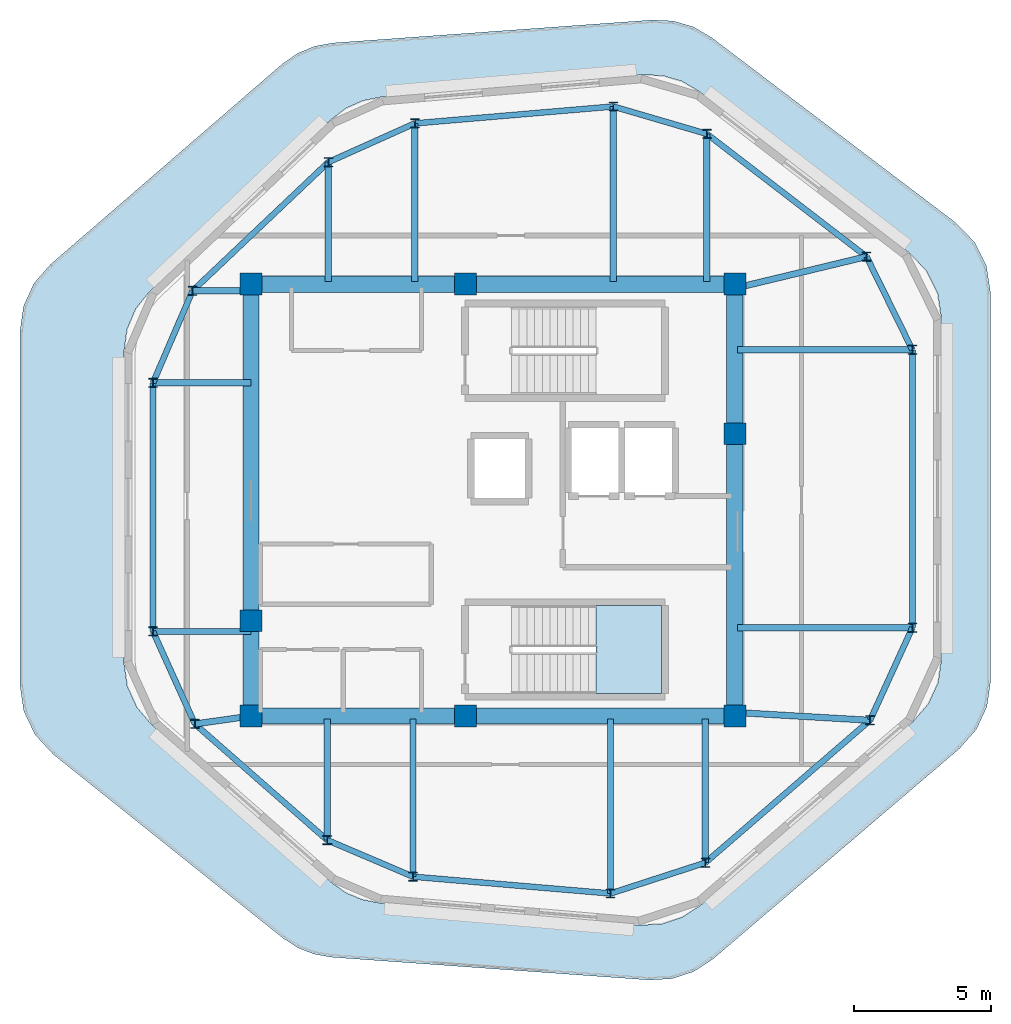
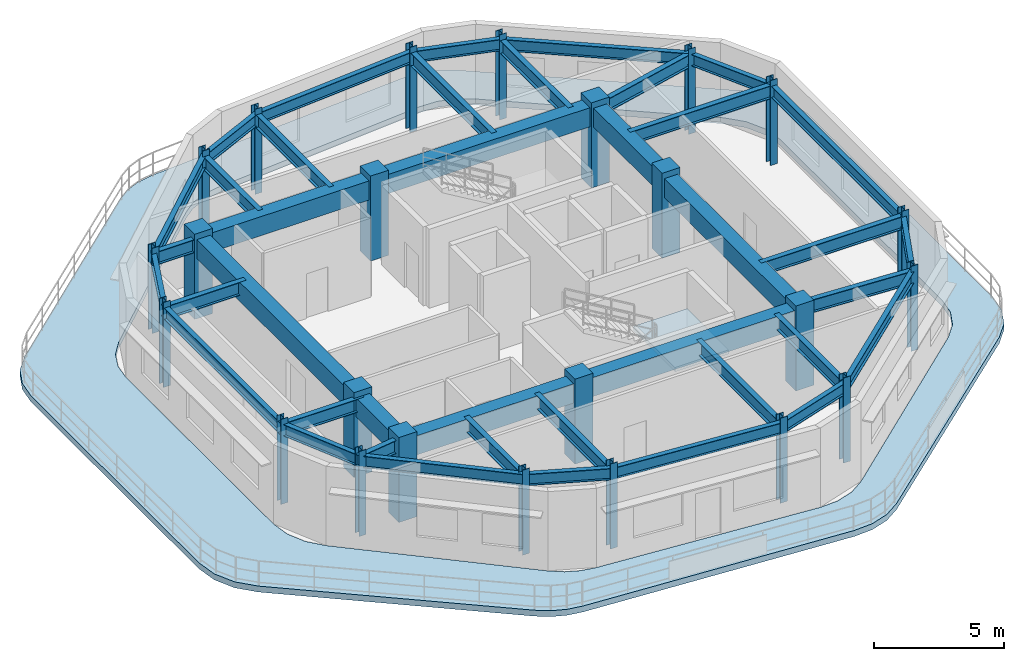
# One storey, part 1 of 7: 40 beams, 24 columns, 2 slabs, 1 element without a shape of its own.
"""IFC4 building model written with IfcOpenShell, lengths in metres."""

from ifc_helpers import new_model, si_unit, direction, frame, origin, origin_2d, place, context, subcontext, project, spatial, polyline, rectangle, i_section, outline, extrude, material, layer, layer_set, material_profile, profile_set, type_object, element, aggregate, save


model = new_model("IFC4")

# Units and contexts
model_context = context("Model", 3, precision=1e-05, world=origin(), true_north=direction((0.0, 1.0)))
body_context = subcontext(model_context, "Body", "Model", "MODEL_VIEW")
ifc_project = project(units=[si_unit("LENGTHUNIT", "METRE"), si_unit("AREAUNIT", "SQUARE_METRE"), si_unit("VOLUMEUNIT", "CUBIC_METRE"), si_unit("PLANEANGLEUNIT", "RADIAN"), si_unit("MASSUNIT", "GRAM", prefix="KILO")], contexts=[model_context])

# Site, building, storey
site_placement = place(None, origin())
site = spatial("IfcSite", under=ifc_project, at=site_placement, CompositionType="ELEMENT")
building_placement = place(site_placement, origin())
building = spatial("IfcBuilding", under=site, at=building_placement, Name="Zulverin Broadcast Headquarters", CompositionType="ELEMENT")
storey_placement = place(building_placement, frame((0.0, 0.0, 329.39990234375)))
storey = spatial("IfcBuildingStorey", under=building, at=storey_placement, Name="C5", CompositionType="ELEMENT", Elevation=329.39990234375)

# Columns
ifc_material_1 = material(Name="Structural steel S355JR", Category="steel")
ifc_material_profile_1 = material_profile(ifc_material_1, i_section(OverallWidth=0.311279296875, OverallDepth=0.3271484375, WebThickness=0.015869140625, FlangeThickness=0.02490234375, at=origin_2d()), Name="Structural steel S355JR", Category="steel")
ifc_profile_set_1 = profile_set([ifc_material_profile_1], Name="Structural steel S355JR")
column_type_1 = type_object("IfcColumnType", Name="COL-UC-158", PredefinedType="COLUMN", material=ifc_profile_set_1)
for number, where, z_axis, x_axis, name in (
    (1, (36.53759765625, 11.46484375, 0.0), (0.0, 0.0, 1.0), (1.0, 0.0, 0.0), "C5 Perimeter Column T01"),
    (2, (43.7392578125, 10.851318359375, 0.0), (0.0, 0.0, 1.0), (1.0, 0.0, 0.0), "C5 Perimeter Column T02"),
    (3, (47.196044921875, 11.973388671875, 0.0), (0.0, 0.0, 1.0), (1.0, 0.0, 0.0), "C5 Perimeter Column T03"),
    (4, (53.205322265625, 17.168701171875, 0.0), (0.0, 0.0, 1.0), (1.0, 0.0, 0.0), "C5 Perimeter Column T04"),
    (5, (54.75, 20.546142578125, 0.0), (0.0, 0.0, 1.0), (1.0, 0.0, 0.0), "C5 Perimeter Column T05"),
    (6, (54.75, 30.683837890625, 0.0), (0.0, 0.0, 1.0), (1.0, 0.0, 0.0), "C5 Perimeter Column T06"),
    (7, (53.076416015625, 34.080810546875, 0.0), (0.0, 0.0, 1.0), (1.0, 0.0, 0.0), "C5 Perimeter Column T07"),
    (8, (47.2509765625, 38.5576171875, 0.0), (0.0, 0.0, 1.0), (1.0, 0.0, 0.0), "C5 Perimeter Column T08"),
    (9, (43.839599609375, 39.557373046875, 0.0), (0.0, 0.0, 1.0), (1.0, 0.0, 0.0), "C5 Perimeter Column T09"),
    (10, (36.6015625, 38.940673828125, 0.0), (0.0, 0.0, 1.0), (1.0, 0.0, 0.0), "C5 Perimeter Column T10"),
    (11, (33.4453125, 37.5244140625, 0.0), (0.0, 0.0, 1.0), (1.0, 0.0, 0.0), "C5 Perimeter Column T11"),
    (12, (28.493408203125, 32.832275390625, 0.0), (0.0, 0.0, 1.0), (1.0, 0.0, 0.0), "C5 Perimeter Column T12"),
    (13, (27.050048828125, 29.475830078125, 0.0), (0.0, 0.0, 1.0), (1.0, 0.0, 0.0), "C5 Perimeter Column T13"),
    (14, (27.050048828125, 20.40869140625, 0.0), (0.0, 0.0, 1.0), (1.0, 0.0, 0.0), "C5 Perimeter Column T14"),
    (15, (28.578369140625, 17.03466796875, 0.0), (0.0, 0.0, 1.0), (1.0, 0.0, 0.0), "C5 Perimeter Column T15"),
    (16, (33.40673828125, 12.798095703125, 0.0), (0.0, 0.0, 1.0), (1.0, 0.0, 0.0), "C5 Perimeter Column T16"),
):
    element("IfcColumn", number, at=place(storey_placement, frame(where, z_axis=z_axis, x_axis=x_axis)), inside=storey, type_object=column_type_1, Name=name, PredefinedType="COLUMN", context=body_context, shape_type="SweptSolid", body=[
        extrude(i_section(OverallWidth=0.311279296875, OverallDepth=0.3271484375, WebThickness=0.015869140625, FlangeThickness=0.02490234375, at=origin_2d()), origin(), (0.0, 0.0, 1.0), 4.0),
    ])
ifc_material_2 = material(Name="Concrete C50/60", Category="concrete")
ifc_material_profile_2 = material_profile(ifc_material_2, rectangle(XDim=0.800048828125, YDim=0.800048828125, at=origin_2d()), Name="Concrete C50/60", Category="concrete")
ifc_profile_set_2 = profile_set([ifc_material_profile_2], Name="Concrete C50/60")
column_type_2 = type_object("IfcColumnType", Name="PIL-RC-800", PredefinedType="PILASTER", material=ifc_profile_set_2)
for number, where, z_axis, x_axis, name in (
    (17, (30.625, 17.324951171875, 0.0), (0.0, 0.0, 1.0), (1.0, 0.0, 0.0), "C5 Core Pilaster K01"),
    (18, (38.449951171875, 17.324951171875, 0.0), (0.0, 0.0, 1.0), (1.0, 0.0, 0.0), "C5 Core Pilaster K02"),
    (19, (48.27490234375, 17.324951171875, 0.0), (0.0, 0.0, 1.0), (1.0, 0.0, 0.0), "C5 Core Pilaster K03"),
    (20, (48.27490234375, 27.6201171875, 0.0), (0.0, 0.0, 1.0), (1.0, 0.0, 0.0), "C5 Core Pilaster K04"),
    (21, (48.27490234375, 33.074951171875, 0.0), (0.0, 0.0, 1.0), (1.0, 0.0, 0.0), "C5 Core Pilaster K05"),
    (22, (38.449951171875, 33.074951171875, 0.0), (0.0, 0.0, 1.0), (1.0, 0.0, 0.0), "C5 Core Pilaster K06"),
    (23, (30.625, 33.074951171875, 0.0), (0.0, 0.0, 1.0), (1.0, 0.0, 0.0), "C5 Core Pilaster K07"),
    (24, (30.625, 20.800048828125, 0.0), (0.0, 0.0, 1.0), (1.0, 0.0, 0.0), "C5 Core Pilaster K08"),
):
    element("IfcColumn", number, at=place(storey_placement, frame(where, z_axis=z_axis, x_axis=x_axis)), inside=storey, type_object=column_type_2, Name=name, PredefinedType="PILASTER", context=body_context, shape_type="SweptSolid", body=[
        extrude(rectangle(XDim=0.800048828125, YDim=0.800048828125, at=origin_2d()), origin(), (0.0, 0.0, 1.0), 4.0),
    ])

# Beams
ifc_material_3 = material(Name="Concrete C60/75", Category="concrete")
ifc_material_profile_3 = material_profile(ifc_material_3, rectangle(XDim=0.60009765625, YDim=0.89990234375, at=origin_2d()), Name="Concrete C60/75", Category="concrete")
ifc_profile_set_3 = profile_set([ifc_material_profile_3], Name="Concrete C60/75")
beam_type_1 = type_object("IfcBeamType", Name="BM-CB-600x900", PredefinedType="LINTEL", material=ifc_profile_set_3)
beam_1_placement = place(storey_placement, frame((30.625, 17.324951171875, 3.27001953125), z_axis=(1.0, 0.0, 0.0), x_axis=(0.0, 1.0, 0.0)))
element("IfcBeam", 25, at=beam_1_placement, inside=storey, type_object=beam_type_1, Name="C5 Core Coupling Girder K01-K02", PredefinedType="LINTEL", context=body_context, shape_type="SweptSolid", body=[
    extrude(rectangle(XDim=0.60009765625, YDim=0.89990234375, at=origin_2d()), origin(), (0.0, 0.0, 1.0), 7.824951171875),
])
beam_2_placement = place(storey_placement, frame((38.449951171875, 17.324951171875, 3.27001953125), z_axis=(1.0, 0.0, 0.0), x_axis=(0.0, 1.0, 0.0)))
element("IfcBeam", 26, at=beam_2_placement, inside=storey, type_object=beam_type_1, Name="C5 Core Coupling Girder K02-K03", PredefinedType="LINTEL", context=body_context, shape_type="SweptSolid", body=[
    extrude(rectangle(XDim=0.60009765625, YDim=0.89990234375, at=origin_2d()), origin(), (0.0, 0.0, 1.0), 9.824951171875),
])
beam_3_placement = place(storey_placement, frame((48.27490234375, 17.324951171875, 3.27001953125), z_axis=(0.0, 1.0, 0.0), x_axis=(-1.0, 0.0, 0.0)))
element("IfcBeam", 27, at=beam_3_placement, inside=storey, type_object=beam_type_1, Name="C5 Core Coupling Girder K03-K04", PredefinedType="LINTEL", context=body_context, shape_type="SweptSolid", body=[
    extrude(rectangle(XDim=0.60009765625, YDim=0.89990234375, at=origin_2d()), origin(), (0.0, 0.0, 1.0), 10.295166015625),
])
beam_4_placement = place(storey_placement, frame((48.27490234375, 27.6201171875, 3.27001953125), z_axis=(0.0, 1.0, 0.0), x_axis=(-1.0, 0.0, 0.0)))
element("IfcBeam", 28, at=beam_4_placement, inside=storey, type_object=beam_type_1, Name="C5 Core Coupling Girder K04-K05", PredefinedType="LINTEL", context=body_context, shape_type="SweptSolid", body=[
    extrude(rectangle(XDim=0.60009765625, YDim=0.89990234375, at=origin_2d()), origin(), (0.0, 0.0, 1.0), 5.454833984375),
])
beam_5_placement = place(storey_placement, frame((48.27490234375, 33.074951171875, 3.27001953125), z_axis=(-1.0, 0.0, 0.0), x_axis=(0.0, -1.0, 0.0)))
element("IfcBeam", 29, at=beam_5_placement, inside=storey, type_object=beam_type_1, Name="C5 Core Coupling Girder K05-K06", PredefinedType="LINTEL", context=body_context, shape_type="SweptSolid", body=[
    extrude(rectangle(XDim=0.60009765625, YDim=0.89990234375, at=origin_2d()), origin(), (0.0, 0.0, 1.0), 9.824951171875),
])
beam_6_placement = place(storey_placement, frame((38.449951171875, 33.074951171875, 3.27001953125), z_axis=(-1.0, 0.0, 0.0), x_axis=(0.0, -1.0, 0.0)))
element("IfcBeam", 30, at=beam_6_placement, inside=storey, type_object=beam_type_1, Name="C5 Core Coupling Girder K06-K07", PredefinedType="LINTEL", context=body_context, shape_type="SweptSolid", body=[
    extrude(rectangle(XDim=0.60009765625, YDim=0.89990234375, at=origin_2d()), origin(), (0.0, 0.0, 1.0), 7.824951171875),
])
beam_7_placement = place(storey_placement, frame((30.625, 33.074951171875, 3.27001953125), z_axis=(0.0, -1.0, 0.0), x_axis=(1.0, 0.0, 0.0)))
element("IfcBeam", 31, at=beam_7_placement, inside=storey, type_object=beam_type_1, Name="C5 Core Coupling Girder K07-K08", PredefinedType="LINTEL", context=body_context, shape_type="SweptSolid", body=[
    extrude(rectangle(XDim=0.60009765625, YDim=0.89990234375, at=origin_2d()), origin(), (0.0, 0.0, 1.0), 12.27490234375),
])
beam_8_placement = place(storey_placement, frame((30.625, 20.800048828125, 3.27001953125), z_axis=(0.0, -1.0, 0.0), x_axis=(1.0, 0.0, 0.0)))
element("IfcBeam", 32, at=beam_8_placement, inside=storey, type_object=beam_type_1, Name="C5 Core Coupling Girder K08-K01", PredefinedType="LINTEL", context=body_context, shape_type="SweptSolid", body=[
    extrude(rectangle(XDim=0.60009765625, YDim=0.89990234375, at=origin_2d()), origin(), (0.0, 0.0, 1.0), 3.47509765625),
])
ifc_material_profile_4 = material_profile(ifc_material_1, i_section(OverallWidth=0.2119140625, OverallDepth=0.54443359375, WebThickness=0.0126953125, FlangeThickness=0.021240234375, at=origin_2d()), Name="Structural steel S355JR", Category="steel")
ifc_profile_set_4 = profile_set([ifc_material_profile_4], Name="Structural steel S355JR")
beam_type_2 = type_object("IfcBeamType", Name="BM-UB-533", PredefinedType="SPANDREL", material=ifc_profile_set_4)
beam_9_placement = place(storey_placement, frame((36.53759765625, 11.46484375, 3.447998046875), z_axis=(0.99639077732, -0.084884738742, 0.0), x_axis=(0.084884738742, 0.99639077732, 0.0)))
element("IfcBeam", 33, at=beam_9_placement, inside=storey, type_object=beam_type_2, Name="C5 Perimeter Spandrel Beam SP-01", PredefinedType="SPANDREL", context=body_context, shape_type="SweptSolid", body=[
    extrude(i_section(OverallWidth=0.2119140625, OverallDepth=0.54443359375, WebThickness=0.0126953125, FlangeThickness=0.021240234375, at=origin_2d()), origin(), (0.0, 0.0, 1.0), 7.227783203125),
])
beam_10_placement = place(storey_placement, frame((43.7392578125, 10.851318359375, 3.447998046875), z_axis=(0.951146067617, 0.308741247741, 0.0), x_axis=(-0.308741247741, 0.951146067617, 0.0)))
element("IfcBeam", 34, at=beam_10_placement, inside=storey, type_object=beam_type_2, Name="C5 Perimeter Spandrel Beam SP-02", PredefinedType="SPANDREL", context=body_context, shape_type="SweptSolid", body=[
    extrude(i_section(OverallWidth=0.2119140625, OverallDepth=0.54443359375, WebThickness=0.0126953125, FlangeThickness=0.021240234375, at=origin_2d()), origin(), (0.0, 0.0, 1.0), 3.63427734375),
])
beam_11_placement = place(storey_placement, frame((47.196044921875, 11.973388671875, 3.447998046875), z_axis=(0.756481523052, 0.654015065026, 0.0), x_axis=(-0.654015065026, 0.756481523052, 0.0)))
element("IfcBeam", 35, at=beam_11_placement, inside=storey, type_object=beam_type_2, Name="C5 Perimeter Spandrel Beam SP-03", PredefinedType="SPANDREL", context=body_context, shape_type="SweptSolid", body=[
    extrude(i_section(OverallWidth=0.2119140625, OverallDepth=0.54443359375, WebThickness=0.0126953125, FlangeThickness=0.021240234375, at=origin_2d()), origin(), (0.0, 0.0, 1.0), 7.943603515625),
])
beam_12_placement = place(storey_placement, frame((53.205322265625, 17.168701171875, 3.447998046875), z_axis=(0.41591666127, 0.90940273305, 0.0), x_axis=(-0.90940273305, 0.41591666127, 0.0)))
element("IfcBeam", 36, at=beam_12_placement, inside=storey, type_object=beam_type_2, Name="C5 Perimeter Spandrel Beam SP-04", PredefinedType="SPANDREL", context=body_context, shape_type="SweptSolid", body=[
    extrude(i_section(OverallWidth=0.2119140625, OverallDepth=0.54443359375, WebThickness=0.0126953125, FlangeThickness=0.021240234375, at=origin_2d()), origin(), (0.0, 0.0, 1.0), 3.7138671875),
])
beam_13_placement = place(storey_placement, frame((54.75, 20.546142578125, 3.447998046875), z_axis=(0.0, 1.0, 0.0), x_axis=(-1.0, 0.0, 0.0)))
element("IfcBeam", 37, at=beam_13_placement, inside=storey, type_object=beam_type_2, Name="C5 Perimeter Spandrel Beam SP-05", PredefinedType="SPANDREL", context=body_context, shape_type="SweptSolid", body=[
    extrude(i_section(OverallWidth=0.2119140625, OverallDepth=0.54443359375, WebThickness=0.0126953125, FlangeThickness=0.021240234375, at=origin_2d()), origin(), (0.0, 0.0, 1.0), 10.1376953125),
])
beam_14_placement = place(storey_placement, frame((54.75, 30.683837890625, 3.447998046875), z_axis=(-0.441945069456, 0.897042114721, 0.0), x_axis=(-0.897042114721, -0.441945069456, 0.0)))
element("IfcBeam", 38, at=beam_14_placement, inside=storey, type_object=beam_type_2, Name="C5 Perimeter Spandrel Beam SP-06", PredefinedType="SPANDREL", context=body_context, shape_type="SweptSolid", body=[
    extrude(i_section(OverallWidth=0.2119140625, OverallDepth=0.54443359375, WebThickness=0.0126953125, FlangeThickness=0.021240234375, at=origin_2d()), origin(), (0.0, 0.0, 1.0), 3.786865234375),
])
beam_15_placement = place(storey_placement, frame((53.076416015625, 34.080810546875, 3.447998046875), z_axis=(-0.792906793207, 0.609342938981, 0.0), x_axis=(-0.609342938981, -0.792906793207, 0.0)))
element("IfcBeam", 39, at=beam_15_placement, inside=storey, type_object=beam_type_2, Name="C5 Perimeter Spandrel Beam SP-07", PredefinedType="SPANDREL", context=body_context, shape_type="SweptSolid", body=[
    extrude(i_section(OverallWidth=0.2119140625, OverallDepth=0.54443359375, WebThickness=0.0126953125, FlangeThickness=0.021240234375, at=origin_2d()), origin(), (0.0, 0.0, 1.0), 7.346923828125),
])
beam_16_placement = place(storey_placement, frame((47.2509765625, 38.5576171875, 3.447998046875), z_axis=(-0.959638451128, 0.281236631888, 0.0), x_axis=(-0.281236631888, -0.959638451128, 0.0)))
element("IfcBeam", 40, at=beam_16_placement, inside=storey, type_object=beam_type_2, Name="C5 Perimeter Spandrel Beam SP-08", PredefinedType="SPANDREL", context=body_context, shape_type="SweptSolid", body=[
    extrude(i_section(OverallWidth=0.2119140625, OverallDepth=0.54443359375, WebThickness=0.0126953125, FlangeThickness=0.021240234375, at=origin_2d()), origin(), (0.0, 0.0, 1.0), 3.554931640625),
])
beam_17_placement = place(storey_placement, frame((43.839599609375, 39.557373046875, 3.447998046875), z_axis=(-0.996389906425, -0.084894960827, 0.0), x_axis=(0.084894960827, -0.996389906425, 0.0)))
element("IfcBeam", 41, at=beam_17_placement, inside=storey, type_object=beam_type_2, Name="C5 Perimeter Spandrel Beam SP-09", PredefinedType="SPANDREL", context=body_context, shape_type="SweptSolid", body=[
    extrude(i_section(OverallWidth=0.2119140625, OverallDepth=0.54443359375, WebThickness=0.0126953125, FlangeThickness=0.021240234375, at=origin_2d()), origin(), (0.0, 0.0, 1.0), 7.26416015625),
])
beam_18_placement = place(storey_placement, frame((36.6015625, 38.940673828125, 3.447998046875), z_axis=(-0.912359384354, -0.409390221893, 0.0), x_axis=(0.409390221893, -0.912359384354, 0.0)))
element("IfcBeam", 42, at=beam_18_placement, inside=storey, type_object=beam_type_2, Name="C5 Perimeter Spandrel Beam SP-10", PredefinedType="SPANDREL", context=body_context, shape_type="SweptSolid", body=[
    extrude(i_section(OverallWidth=0.2119140625, OverallDepth=0.54443359375, WebThickness=0.0126953125, FlangeThickness=0.021240234375, at=origin_2d()), origin(), (0.0, 0.0, 1.0), 3.45947265625),
])
beam_19_placement = place(storey_placement, frame((33.4453125, 37.5244140625, 3.447998046875), z_axis=(-0.725889672936, -0.687811153388, 0.0), x_axis=(0.687811153388, -0.725889672936, 0.0)))
element("IfcBeam", 43, at=beam_19_placement, inside=storey, type_object=beam_type_2, Name="C5 Perimeter Spandrel Beam SP-11", PredefinedType="SPANDREL", context=body_context, shape_type="SweptSolid", body=[
    extrude(i_section(OverallWidth=0.2119140625, OverallDepth=0.54443359375, WebThickness=0.0126953125, FlangeThickness=0.021240234375, at=origin_2d()), origin(), (0.0, 0.0, 1.0), 6.82177734375),
])
beam_20_placement = place(storey_placement, frame((28.493408203125, 32.832275390625, 3.447998046875), z_axis=(-0.395048052445, -0.918660457546, 0.0), x_axis=(0.918660457546, -0.395048052445, 0.0)))
element("IfcBeam", 44, at=beam_20_placement, inside=storey, type_object=beam_type_2, Name="C5 Perimeter Spandrel Beam SP-12", PredefinedType="SPANDREL", context=body_context, shape_type="SweptSolid", body=[
    extrude(i_section(OverallWidth=0.2119140625, OverallDepth=0.54443359375, WebThickness=0.0126953125, FlangeThickness=0.021240234375, at=origin_2d()), origin(), (0.0, 0.0, 1.0), 3.653564453125),
])
beam_21_placement = place(storey_placement, frame((27.050048828125, 29.475830078125, 3.447998046875), z_axis=(0.0, -1.0, 0.0), x_axis=(1.0, 0.0, 0.0)))
element("IfcBeam", 45, at=beam_21_placement, inside=storey, type_object=beam_type_2, Name="C5 Perimeter Spandrel Beam SP-13", PredefinedType="SPANDREL", context=body_context, shape_type="SweptSolid", body=[
    extrude(i_section(OverallWidth=0.2119140625, OverallDepth=0.54443359375, WebThickness=0.0126953125, FlangeThickness=0.021240234375, at=origin_2d()), origin(), (0.0, 0.0, 1.0), 9.067138671875),
])
beam_22_placement = place(storey_placement, frame((27.050048828125, 20.40869140625, 3.447998046875), z_axis=(0.412610751542, -0.910907441902, 0.0), x_axis=(0.910907441902, 0.412610751542, 0.0)))
element("IfcBeam", 46, at=beam_22_placement, inside=storey, type_object=beam_type_2, Name="C5 Perimeter Spandrel Beam SP-14", PredefinedType="SPANDREL", context=body_context, shape_type="SweptSolid", body=[
    extrude(i_section(OverallWidth=0.2119140625, OverallDepth=0.54443359375, WebThickness=0.0126953125, FlangeThickness=0.021240234375, at=origin_2d()), origin(), (0.0, 0.0, 1.0), 3.7041015625),
])
beam_23_placement = place(storey_placement, frame((28.578369140625, 17.03466796875, 3.447998046875), z_axis=(0.751669525428, -0.659539934002, 0.0), x_axis=(0.659539934002, 0.751669525428, 0.0)))
element("IfcBeam", 47, at=beam_23_placement, inside=storey, type_object=beam_type_2, Name="C5 Perimeter Spandrel Beam SP-15", PredefinedType="SPANDREL", context=body_context, shape_type="SweptSolid", body=[
    extrude(i_section(OverallWidth=0.2119140625, OverallDepth=0.54443359375, WebThickness=0.0126953125, FlangeThickness=0.021240234375, at=origin_2d()), origin(), (0.0, 0.0, 1.0), 6.423583984375),
])
beam_24_placement = place(storey_placement, frame((33.40673828125, 12.798095703125, 3.447998046875), z_axis=(0.920051758156, -0.391796838061, 0.0), x_axis=(0.391796838061, 0.920051758156, 0.0)))
element("IfcBeam", 48, at=beam_24_placement, inside=storey, type_object=beam_type_2, Name="C5 Perimeter Spandrel Beam SP-16", PredefinedType="SPANDREL", context=body_context, shape_type="SweptSolid", body=[
    extrude(i_section(OverallWidth=0.2119140625, OverallDepth=0.54443359375, WebThickness=0.0126953125, FlangeThickness=0.021240234375, at=origin_2d()), origin(), (0.0, 0.0, 1.0), 3.40283203125),
])
ifc_material_profile_5 = material_profile(ifc_material_1, i_section(OverallWidth=0.230224609375, OverallDepth=0.6171875, WebThickness=0.01318359375, FlangeThickness=0.022216796875, at=origin_2d()), Name="Structural steel S355JR", Category="steel")
ifc_profile_set_5 = profile_set([ifc_material_profile_5], Name="Structural steel S355JR")
beam_type_3 = type_object("IfcBeamType", Name="BM-UB-610", PredefinedType="BEAM", material=ifc_profile_set_5)
beam_25_placement = place(storey_placement, frame((36.53759765625, 17.22509765625, 3.411376953125), z_axis=(0.0, -1.0, 0.0), x_axis=(1.0, 0.0, 0.0)))
element("IfcBeam", 49, at=beam_25_placement, inside=storey, type_object=beam_type_3, Name="C5 Radial Primary Floor Beam RB-01", PredefinedType="BEAM", context=body_context, shape_type="SweptSolid", body=[
    extrude(i_section(OverallWidth=0.230224609375, OverallDepth=0.6171875, WebThickness=0.01318359375, FlangeThickness=0.022216796875, at=origin_2d()), origin(), (0.0, 0.0, 1.0), 5.76025390625),
])
beam_26_placement = place(storey_placement, frame((43.7392578125, 17.22509765625, 3.411376953125), z_axis=(0.0, -1.0, 0.0), x_axis=(1.0, 0.0, 0.0)))
element("IfcBeam", 50, at=beam_26_placement, inside=storey, type_object=beam_type_3, Name="C5 Radial Primary Floor Beam RB-02", PredefinedType="BEAM", context=body_context, shape_type="SweptSolid", body=[
    extrude(i_section(OverallWidth=0.230224609375, OverallDepth=0.6171875, WebThickness=0.01318359375, FlangeThickness=0.022216796875, at=origin_2d()), origin(), (0.0, 0.0, 1.0), 6.373779296875),
])
beam_27_placement = place(storey_placement, frame((47.196044921875, 17.22509765625, 3.411376953125), z_axis=(0.0, -1.0, 0.0), x_axis=(1.0, 0.0, 0.0)))
element("IfcBeam", 51, at=beam_27_placement, inside=storey, type_object=beam_type_3, Name="C5 Radial Primary Floor Beam RB-03", PredefinedType="BEAM", context=body_context, shape_type="SweptSolid", body=[
    extrude(i_section(OverallWidth=0.230224609375, OverallDepth=0.6171875, WebThickness=0.01318359375, FlangeThickness=0.022216796875, at=origin_2d()), origin(), (0.0, 0.0, 1.0), 5.251708984375),
])
beam_28_placement = place(storey_placement, frame((48.375, 17.449951171875, 3.411376953125), z_axis=(0.998309168666, -0.058127478509, 0.0), x_axis=(0.058127478509, 0.998309168666, 0.0)))
element("IfcBeam", 52, at=beam_28_placement, inside=storey, type_object=beam_type_3, Name="C5 Radial Primary Floor Beam RB-04", PredefinedType="BEAM", context=body_context, shape_type="SweptSolid", body=[
    extrude(i_section(OverallWidth=0.230224609375, OverallDepth=0.6171875, WebThickness=0.01318359375, FlangeThickness=0.022216796875, at=origin_2d()), origin(), (0.0, 0.0, 1.0), 4.838623046875),
])
for number, where, z_axis, x_axis, name in (
    (53, (48.375, 20.546142578125, 3.411376953125), (1.0, 0.0, 0.0), (0.0, 1.0, 0.0), "C5 Radial Primary Floor Beam RB-05"),
    (54, (48.375, 30.683837890625, 3.411376953125), (1.0, 0.0, 0.0), (0.0, 1.0, 0.0), "C5 Radial Primary Floor Beam RB-06"),
):
    element("IfcBeam", number, at=place(storey_placement, frame(where, z_axis=z_axis, x_axis=x_axis)), inside=storey, type_object=beam_type_3, Name=name, PredefinedType="BEAM", context=body_context, shape_type="SweptSolid", body=[
        extrude(i_section(OverallWidth=0.230224609375, OverallDepth=0.6171875, WebThickness=0.01318359375, FlangeThickness=0.022216796875, at=origin_2d()), origin(), (0.0, 0.0, 1.0), 6.375),
    ])
beam_29_placement = place(storey_placement, frame((48.375, 32.949951171875, 3.411376953125), z_axis=(0.972268936395, 0.233865592428, 0.0), x_axis=(-0.233865592428, 0.972268936395, 0.0)))
element("IfcBeam", 55, at=beam_29_placement, inside=storey, type_object=beam_type_3, Name="C5 Radial Primary Floor Beam RB-07", PredefinedType="BEAM", context=body_context, shape_type="SweptSolid", body=[
    extrude(i_section(OverallWidth=0.230224609375, OverallDepth=0.6171875, WebThickness=0.01318359375, FlangeThickness=0.022216796875, at=origin_2d()), origin(), (0.0, 0.0, 1.0), 4.83544921875),
])
beam_30_placement = place(storey_placement, frame((47.2509765625, 33.175048828125, 3.411376953125), z_axis=(0.0, 1.0, 0.0), x_axis=(-1.0, 0.0, 0.0)))
element("IfcBeam", 56, at=beam_30_placement, inside=storey, type_object=beam_type_3, Name="C5 Radial Primary Floor Beam RB-08", PredefinedType="BEAM", context=body_context, shape_type="SweptSolid", body=[
    extrude(i_section(OverallWidth=0.230224609375, OverallDepth=0.6171875, WebThickness=0.01318359375, FlangeThickness=0.022216796875, at=origin_2d()), origin(), (0.0, 0.0, 1.0), 5.382568359375),
])
beam_31_placement = place(storey_placement, frame((43.839599609375, 33.175048828125, 3.411376953125), z_axis=(0.0, 1.0, 0.0), x_axis=(-1.0, 0.0, 0.0)))
element("IfcBeam", 57, at=beam_31_placement, inside=storey, type_object=beam_type_3, Name="C5 Radial Primary Floor Beam RB-09", PredefinedType="BEAM", context=body_context, shape_type="SweptSolid", body=[
    extrude(i_section(OverallWidth=0.230224609375, OverallDepth=0.6171875, WebThickness=0.01318359375, FlangeThickness=0.022216796875, at=origin_2d()), origin(), (0.0, 0.0, 1.0), 6.38232421875),
])
beam_32_placement = place(storey_placement, frame((36.6015625, 33.175048828125, 3.411376953125), z_axis=(0.0, 1.0, 0.0), x_axis=(-1.0, 0.0, 0.0)))
element("IfcBeam", 58, at=beam_32_placement, inside=storey, type_object=beam_type_3, Name="C5 Radial Primary Floor Beam RB-10", PredefinedType="BEAM", context=body_context, shape_type="SweptSolid", body=[
    extrude(i_section(OverallWidth=0.230224609375, OverallDepth=0.6171875, WebThickness=0.01318359375, FlangeThickness=0.022216796875, at=origin_2d()), origin(), (0.0, 0.0, 1.0), 5.765625),
])
beam_33_placement = place(storey_placement, frame((33.4453125, 33.175048828125, 3.411376953125), z_axis=(0.0, 1.0, 0.0), x_axis=(-1.0, 0.0, 0.0)))
element("IfcBeam", 59, at=beam_33_placement, inside=storey, type_object=beam_type_3, Name="C5 Radial Primary Floor Beam RB-11", PredefinedType="BEAM", context=body_context, shape_type="SweptSolid", body=[
    extrude(i_section(OverallWidth=0.230224609375, OverallDepth=0.6171875, WebThickness=0.01318359375, FlangeThickness=0.022216796875, at=origin_2d()), origin(), (0.0, 0.0, 1.0), 4.349365234375),
])
beam_34_placement = place(storey_placement, frame((30.625, 32.832275390625, 3.411376953125), z_axis=(-1.0, 0.0, 0.0), x_axis=(0.0, -1.0, 0.0)))
element("IfcBeam", 60, at=beam_34_placement, inside=storey, type_object=beam_type_3, Name="C5 Radial Primary Floor Beam RB-12", PredefinedType="BEAM", context=body_context, shape_type="SweptSolid", body=[
    extrude(i_section(OverallWidth=0.230224609375, OverallDepth=0.6171875, WebThickness=0.01318359375, FlangeThickness=0.022216796875, at=origin_2d()), origin(), (0.0, 0.0, 1.0), 2.131591796875),
])
for number, where, z_axis, x_axis, name in (
    (61, (30.625, 29.475830078125, 3.411376953125), (-1.0, 0.0, 0.0), (0.0, -1.0, 0.0), "C5 Radial Primary Floor Beam RB-13"),
    (62, (30.625, 20.40869140625, 3.411376953125), (-1.0, 0.0, 0.0), (0.0, -1.0, 0.0), "C5 Radial Primary Floor Beam RB-14"),
):
    element("IfcBeam", number, at=place(storey_placement, frame(where, z_axis=z_axis, x_axis=x_axis)), inside=storey, type_object=beam_type_3, Name=name, PredefinedType="BEAM", context=body_context, shape_type="SweptSolid", body=[
        extrude(i_section(OverallWidth=0.230224609375, OverallDepth=0.6171875, WebThickness=0.01318359375, FlangeThickness=0.022216796875, at=origin_2d()), origin(), (0.0, 0.0, 1.0), 3.574951171875),
    ])
beam_35_placement = place(storey_placement, frame((30.625, 17.324951171875, 3.411376953125), z_axis=(-0.990090724898, -0.140429186676, 0.0), x_axis=(0.140429186676, -0.990090724898, 0.0)))
element("IfcBeam", 63, at=beam_35_placement, inside=storey, type_object=beam_type_3, Name="C5 Radial Primary Floor Beam RB-15", PredefinedType="BEAM", context=body_context, shape_type="SweptSolid", body=[
    extrude(i_section(OverallWidth=0.230224609375, OverallDepth=0.6171875, WebThickness=0.01318359375, FlangeThickness=0.022216796875, at=origin_2d()), origin(), (0.0, 0.0, 1.0), 2.067138671875),
])
beam_36_placement = place(storey_placement, frame((33.40673828125, 17.22509765625, 3.411376953125), z_axis=(0.0, -1.0, 0.0), x_axis=(1.0, 0.0, 0.0)))
element("IfcBeam", 64, at=beam_36_placement, inside=storey, type_object=beam_type_3, Name="C5 Radial Primary Floor Beam RB-16", PredefinedType="BEAM", context=body_context, shape_type="SweptSolid", body=[
    extrude(i_section(OverallWidth=0.230224609375, OverallDepth=0.6171875, WebThickness=0.01318359375, FlangeThickness=0.022216796875, at=origin_2d()), origin(), (0.0, 0.0, 1.0), 4.427001953125),
])

# Stair, slab
ifc_material_4 = material(Name="Concrete C40/50", Category="concrete")
stair_type = type_object("IfcStairType", Name="ST-CORE-1500", PredefinedType="HALF_TURN_STAIR", material=ifc_material_4)
stair_placement = place(storey_placement, origin())
stair = element("IfcStair", 65, at=stair_placement, inside=storey, type_object=stair_type, Name="C5 Core Exit Stair ST-2", PredefinedType="HALF_TURN_STAIR")
ifc_layer_1 = layer(ifc_material_4, 0.199951171875, Name="Concrete C40/50", Category="concrete")
ifc_layer_set_1 = layer_set([ifc_layer_1], Name="Concrete C40/50")
slab_type_1 = type_object("IfcSlabType", Name="SLB-ST-LND200", PredefinedType="LANDING", material=ifc_layer_set_1)
slab_1_placement = place(storey_placement, frame((0.0, 0.0, 1.800048828125)))
slab_1 = element("IfcSlab", 66, at=slab_1_placement, type_object=slab_type_1, Name="ST-2 landing 1", PredefinedType="LANDING", context=body_context, shape_type="SweptSolid", body=[
    extrude(outline(polyline([(43.2099609375, 18.14990234375), (45.60009765625, 18.14990234375), (45.60009765625, 21.35009765625), (43.2099609375, 21.35009765625), (43.2099609375, 18.14990234375)])), origin(), (0.0, 0.0, 1.0), 0.199951171875),
])
aggregate(stair, [slab_1])

# Slab
ifc_layer_2 = layer(ifc_material_4, 0.280029296875, Name="Concrete C40/50", Category="concrete")
ifc_layer_set_2 = layer_set([ifc_layer_2], Name="Concrete C40/50")
slab_type_2 = type_object("IfcSlabType", Name="SLB-TER-280", PredefinedType="FLOOR", material=ifc_layer_set_2)
slab_2_placement = place(storey_placement, frame((0.0, 0.0, -0.27978515625)))
element("IfcSlab", 67, at=slab_2_placement, inside=storey, type_object=slab_type_2, Name="C5 Stepped Crown Planted Terrace Slab", PredefinedType="FLOOR", context=body_context, shape_type="SweptSolid", body=[
    extrude(outline(polyline([(22.751953125, 16.639892578125), (23.39990234375, 15.93994140625), (31.7919921875, 9.22412109375), (32.33203125, 8.8720703125), (32.927978515625, 8.639892578125), (33.56005859375, 8.528076171875), (45.156005859375, 7.696044921875), (45.97998046875, 7.743896484375), (46.76806640625, 8.0), (47.464111328125, 8.451904296875), (56.47607421875, 16.14404296875), (57.083984375, 16.8359375), (57.468017578125, 17.672119140625), (57.60009765625, 18.580078125), (57.60009765625, 32.763916015625), (57.451904296875, 33.73193359375), (57.01611328125, 34.60791015625), (56.3359375, 35.31201171875), (47.424072265625, 42.072021484375), (46.763916015625, 42.4599609375), (46.028076171875, 42.676025390625), (45.260009765625, 42.7119140625), (33.6279296875, 41.8759765625), (32.9560546875, 41.756103515625), (32.323974609375, 41.49609375), (31.763916015625, 41.10400390625), (23.30810546875, 33.7919921875), (22.7080078125, 33.10400390625), (22.33203125, 32.27587890625), (22.199951171875, 31.3720703125), (22.199951171875, 18.43603515625), (22.340087890625, 17.49609375), (22.751953125, 16.639892578125)]), holes=[polyline([(34.092041015625, 10.8759765625), (33.572021484375, 11.243896484375), (27.01611328125, 16.99609375), (26.464111328125, 17.639892578125), (26.112060546875, 18.416015625), (25.991943359375, 19.256103515625), (25.991943359375, 30.6240234375), (26.10009765625, 31.427978515625), (26.419921875, 32.176025390625), (26.927978515625, 32.80810546875), (33.552001953125, 39.083984375), (34.087890625, 39.491943359375), (34.7041015625, 39.76806640625), (35.364013671875, 39.89990234375), (44.89599609375, 40.7119140625), (45.635986328125, 40.68408203125), (46.343994140625, 40.47607421875), (46.98388671875, 40.10009765625), (54.635986328125, 34.219970703125), (55.263916015625, 33.56005859375), (55.672119140625, 32.739990234375), (55.80810546875, 31.8359375), (55.80810546875, 19.39599609375), (55.68798828125, 18.548095703125), (55.33203125, 17.76806640625), (54.76806640625, 17.1201171875), (47.02001953125, 10.419921875), (46.35205078125, 9.98388671875), (45.592041015625, 9.736083984375), (44.7958984375, 9.696044921875), (35.300048828125, 10.508056640625), (34.679931640625, 10.6279296875), (34.092041015625, 10.8759765625)])]), origin(), (0.0, 0.0, 1.0), 0.27978515625),
])

save(model, "model.ifc")
